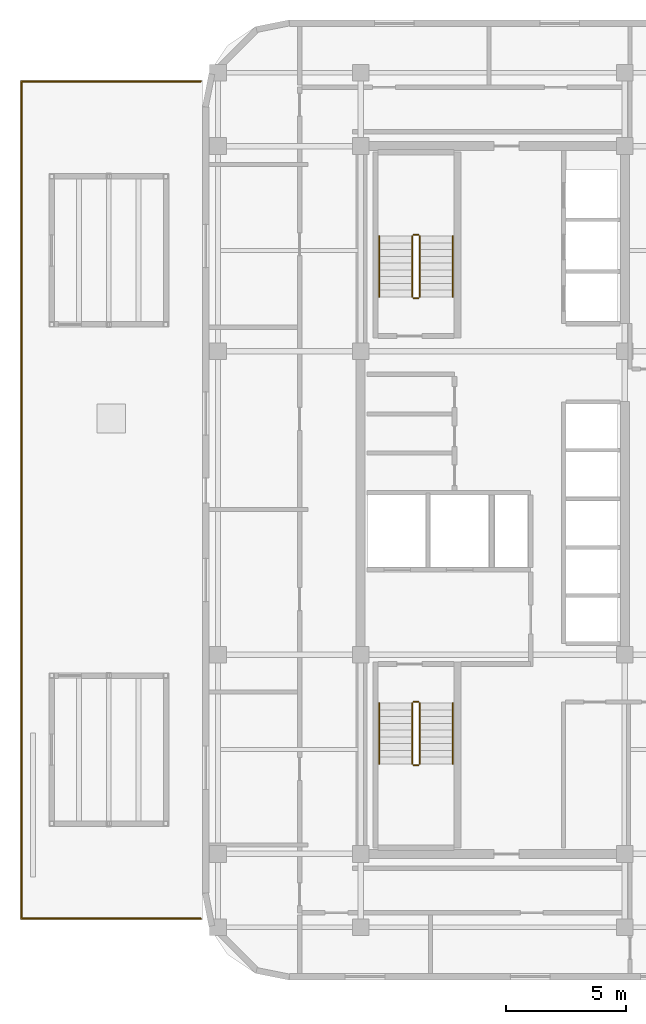
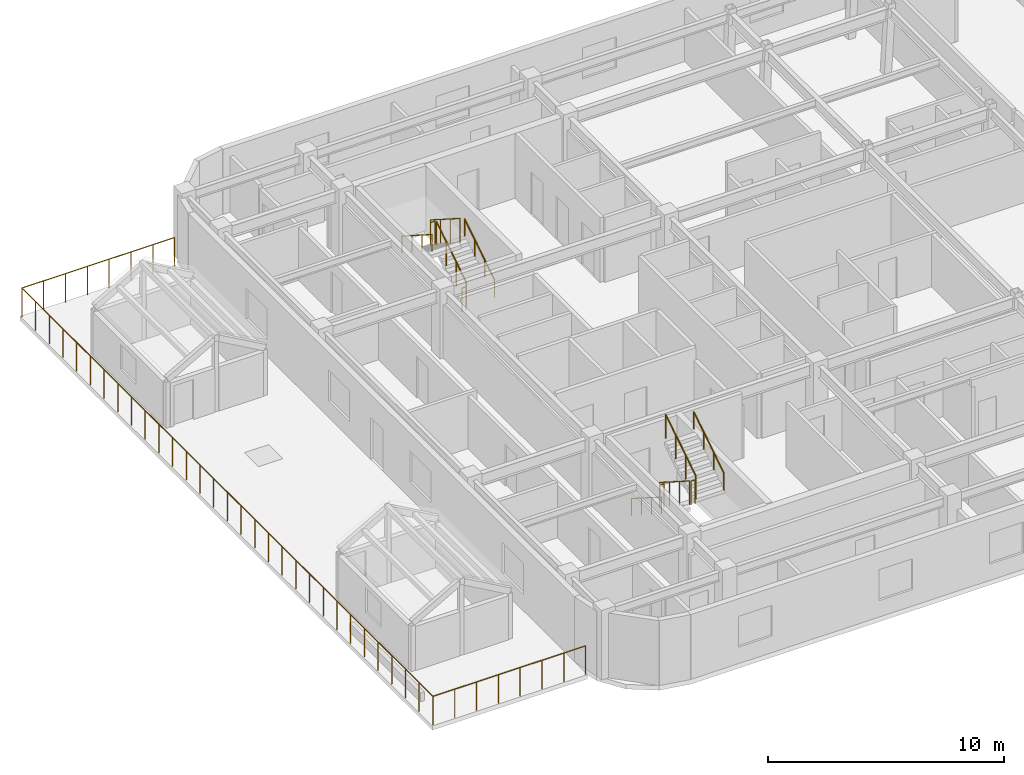
# One storey, part 16 of 16: 13 railings.
"""IFC4 building model written with IfcOpenShell, lengths in metres."""

from ifc_helpers import new_model, si_unit, direction, frame, origin, origin_2d, place, context, subcontext, project, spatial, circle, extrude, material, type_object, element, save


model = new_model("IFC4")

# Units and contexts
model_context = context("Model", 3, precision=1e-05, world=origin(), true_north=direction((0.0, 1.0)))
body_context = subcontext(model_context, "Body", "Model", "MODEL_VIEW")
ifc_project = project(units=[si_unit("LENGTHUNIT", "METRE"), si_unit("AREAUNIT", "SQUARE_METRE"), si_unit("VOLUMEUNIT", "CUBIC_METRE"), si_unit("PLANEANGLEUNIT", "RADIAN"), si_unit("MASSUNIT", "GRAM", prefix="KILO")], contexts=[model_context])

# Site, building, storey
site_placement = place(None, origin())
site = spatial("IfcSite", under=ifc_project, at=site_placement, CompositionType="ELEMENT")
building_placement = place(site_placement, origin())
building = spatial("IfcBuilding", under=site, at=building_placement, Name="Ochreholt Gables", CompositionType="ELEMENT")
storey_placement = place(building_placement, frame((0.0, 0.0, 141.0)))
storey = spatial("IfcBuildingStorey", under=building, at=storey_placement, Name="L36", CompositionType="ELEMENT", Elevation=141.0)

# Railings
ifc_material_1 = material(Name="Painted Steel Stair Guardrail", Category="steel")
railing_type_1 = type_object("IfcRailingType", Name="RL-ST-GUARD", PredefinedType="GUARDRAIL", material=ifc_material_1)
railing_1_placement = place(storey_placement, frame((26.35009765625, 15.5400390625, 0.179931640625)))
element("IfcRailing", 1, at=railing_1_placement, inside=storey, type_object=railing_type_1, Name="L36 ST-1 stair guard 1", PredefinedType="GUARDRAIL", context=body_context, shape_type="SweptSolid", body=[
    extrude(circle(Radius=0.02392578125, at=origin_2d()), frame((0.0, 0.0, 1.22607421875), z_axis=(0.0, -0.842912820907, 0.538050161556), x_axis=(1.0, 0.0, 0.0)), (0.0, 0.0, 1.0), 3.010986328125),
    extrude(circle(Radius=0.02099609375, at=origin_2d()), origin(), (0.0, 0.0, 1.0), 1.201904296875),
    extrude(circle(Radius=0.02099609375, at=origin_2d()), frame((0.0, -0.845947265625, 0.5400390625)), (0.0, 0.0, 1.0), 1.201904296875),
    extrude(circle(Radius=0.02099609375, at=origin_2d()), frame((0.0, -1.692138671875, 1.080078125)), (0.0, 0.0, 1.0), 1.201904296875),
    extrude(circle(Radius=0.02099609375, at=origin_2d()), frame((0.0, -2.5380859375, 1.6201171875)), (0.0, 0.0, 1.0), 1.201904296875),
])
railing_2_placement = place(storey_placement, frame((26.39990234375, 12.951904296875, 1.800048828125)))
element("IfcRailing", 2, at=railing_2_placement, inside=storey, type_object=railing_type_1, Name="L36 ST-1 stair guard 2", PredefinedType="GUARDRAIL", context=body_context, shape_type="SweptSolid", body=[
    extrude(circle(Radius=0.02392578125, at=origin_2d()), frame((0.0, 0.0, 1.22607421875), z_axis=(1.0, 0.0, 0.0), x_axis=(0.0, 1.0, 0.0)), (0.0, 0.0, 1.0), 0.2001953125),
    extrude(circle(Radius=0.02099609375, at=origin_2d()), origin(), (0.0, 0.0, 1.0), 1.201904296875),
    extrude(circle(Radius=0.02099609375, at=origin_2d()), frame((0.2001953125, 0.0, 0.0)), (0.0, 0.0, 1.0), 1.201904296875),
])
railing_3_placement = place(storey_placement, frame((26.64990234375, 13.001953125, 1.97998046875)))
element("IfcRailing", 3, at=railing_3_placement, inside=storey, type_object=railing_type_1, Name="L36 ST-1 stair guard 3", PredefinedType="GUARDRAIL", context=body_context, shape_type="SweptSolid", body=[
    extrude(circle(Radius=0.02392578125, at=origin_2d()), frame((0.0, 0.0, 1.22607421875), z_axis=(0.0, 0.842912820907, 0.538050161556), x_axis=(-1.0, 0.0, 0.0)), (0.0, 0.0, 1.0), 3.010986328125),
    extrude(circle(Radius=0.02099609375, at=origin_2d()), origin(), (0.0, 0.0, 1.0), 1.201904296875),
    extrude(circle(Radius=0.02099609375, at=origin_2d()), frame((0.0, 0.845947265625, 0.5400390625)), (0.0, 0.0, 1.0), 1.201904296875),
    extrude(circle(Radius=0.02099609375, at=origin_2d()), frame((0.0, 1.692138671875, 1.080078125)), (0.0, 0.0, 1.0), 1.201904296875),
    extrude(circle(Radius=0.02099609375, at=origin_2d()), frame((0.0, 2.5380859375, 1.6201171875)), (0.0, 0.0, 1.0), 1.201904296875),
])
railing_4_placement = place(storey_placement, frame((26.39990234375, 15.590087890625, 0.0)))
element("IfcRailing", 4, at=railing_4_placement, inside=storey, type_object=railing_type_1, Name="L36 ST-1 stair guard 4", PredefinedType="GUARDRAIL", context=body_context, shape_type="SweptSolid", body=[
    extrude(circle(Radius=0.02392578125, at=origin_2d()), frame((0.0, 0.0, 1.22607421875), z_axis=(1.0, 0.0, 0.0), x_axis=(0.0, 1.0, 0.0)), (0.0, 0.0, 1.0), 0.2001953125),
    extrude(circle(Radius=0.02099609375, at=origin_2d()), origin(), (0.0, 0.0, 1.0), 1.201904296875),
    extrude(circle(Radius=0.02099609375, at=origin_2d()), frame((0.2001953125, 0.0, 0.0)), (0.0, 0.0, 1.0), 1.201904296875),
])
railing_5_placement = place(storey_placement, frame((26.64990234375, 32.4599609375, 0.179931640625)))
element("IfcRailing", 5, at=railing_5_placement, inside=storey, type_object=railing_type_1, Name="L36 ST-2 stair guard 1", PredefinedType="GUARDRAIL", context=body_context, shape_type="SweptSolid", body=[
    extrude(circle(Radius=0.02392578125, at=origin_2d()), frame((0.0, 0.0, 1.22607421875), z_axis=(0.0, 0.842912820907, 0.538050161556), x_axis=(-1.0, 0.0, 0.0)), (0.0, 0.0, 1.0), 3.010986328125),
    extrude(circle(Radius=0.02099609375, at=origin_2d()), origin(), (0.0, 0.0, 1.0), 1.201904296875),
    extrude(circle(Radius=0.02099609375, at=origin_2d()), frame((0.0, 0.845947265625, 0.5400390625)), (0.0, 0.0, 1.0), 1.201904296875),
    extrude(circle(Radius=0.02099609375, at=origin_2d()), frame((0.0, 1.692138671875, 1.080078125)), (0.0, 0.0, 1.0), 1.201904296875),
    extrude(circle(Radius=0.02099609375, at=origin_2d()), frame((0.0, 2.5380859375, 1.6201171875)), (0.0, 0.0, 1.0), 1.201904296875),
])
railing_6_placement = place(storey_placement, frame((26.60009765625, 35.048095703125, 1.800048828125)))
element("IfcRailing", 6, at=railing_6_placement, inside=storey, type_object=railing_type_1, Name="L36 ST-2 stair guard 2", PredefinedType="GUARDRAIL", context=body_context, shape_type="SweptSolid", body=[
    extrude(circle(Radius=0.02392578125, at=origin_2d()), frame((0.0, 0.0, 1.22607421875), z_axis=(-1.0, 0.0, 0.0), x_axis=(0.0, -1.0, 0.0)), (0.0, 0.0, 1.0), 0.2001953125),
    extrude(circle(Radius=0.02099609375, at=origin_2d()), origin(), (0.0, 0.0, 1.0), 1.201904296875),
    extrude(circle(Radius=0.02099609375, at=origin_2d()), frame((-0.2001953125, 0.0, 0.0)), (0.0, 0.0, 1.0), 1.201904296875),
])
railing_7_placement = place(storey_placement, frame((26.35009765625, 34.998046875, 1.97998046875)))
element("IfcRailing", 7, at=railing_7_placement, inside=storey, type_object=railing_type_1, Name="L36 ST-2 stair guard 3", PredefinedType="GUARDRAIL", context=body_context, shape_type="SweptSolid", body=[
    extrude(circle(Radius=0.02392578125, at=origin_2d()), frame((0.0, 0.0, 1.22607421875), z_axis=(0.0, -0.842912820907, 0.538050161556), x_axis=(1.0, 0.0, 0.0)), (0.0, 0.0, 1.0), 3.010986328125),
    extrude(circle(Radius=0.02099609375, at=origin_2d()), origin(), (0.0, 0.0, 1.0), 1.201904296875),
    extrude(circle(Radius=0.02099609375, at=origin_2d()), frame((0.0, -0.845947265625, 0.5400390625)), (0.0, 0.0, 1.0), 1.201904296875),
    extrude(circle(Radius=0.02099609375, at=origin_2d()), frame((0.0, -1.692138671875, 1.080078125)), (0.0, 0.0, 1.0), 1.201904296875),
    extrude(circle(Radius=0.02099609375, at=origin_2d()), frame((0.0, -2.5380859375, 1.6201171875)), (0.0, 0.0, 1.0), 1.201904296875),
])
railing_8_placement = place(storey_placement, frame((26.60009765625, 32.409912109375, 0.0)))
element("IfcRailing", 8, at=railing_8_placement, inside=storey, type_object=railing_type_1, Name="L36 ST-2 stair guard 4", PredefinedType="GUARDRAIL", context=body_context, shape_type="SweptSolid", body=[
    extrude(circle(Radius=0.02392578125, at=origin_2d()), frame((0.0, 0.0, 1.22607421875), z_axis=(-1.0, 0.0, 0.0), x_axis=(0.0, -1.0, 0.0)), (0.0, 0.0, 1.0), 0.2001953125),
    extrude(circle(Radius=0.02099609375, at=origin_2d()), origin(), (0.0, 0.0, 1.0), 1.201904296875),
    extrude(circle(Radius=0.02099609375, at=origin_2d()), frame((-0.2001953125, 0.0, 0.0)), (0.0, 0.0, 1.0), 1.201904296875),
])
ifc_material_2 = material(Name="Brushed Stainless Steel Wall Handrail", Category="steel")
railing_type_2 = type_object("IfcRailingType", Name="RL-ST-HAND", PredefinedType="HANDRAIL", material=ifc_material_2)
railing_9_placement = place(storey_placement, frame((24.969970703125, 15.5400390625, 0.179931640625)))
element("IfcRailing", 9, at=railing_9_placement, inside=storey, type_object=railing_type_2, Name="L36 ST-1 stair handrail 1", PredefinedType="HANDRAIL", context=body_context, shape_type="SweptSolid", body=[
    extrude(circle(Radius=0.02392578125, at=origin_2d()), frame((0.0, 0.0, 0.8759765625), z_axis=(0.0, -0.842912820907, 0.538050161556), x_axis=(1.0, 0.0, 0.0)), (0.0, 0.0, 1.0), 3.010986328125),
    extrude(circle(Radius=0.02099609375, at=origin_2d()), origin(), (0.0, 0.0, 1.0), 0.851806640625),
    extrude(circle(Radius=0.02099609375, at=origin_2d()), frame((0.0, -0.845947265625, 0.5400390625)), (0.0, 0.0, 1.0), 0.851806640625),
    extrude(circle(Radius=0.02099609375, at=origin_2d()), frame((0.0, -1.692138671875, 1.080078125)), (0.0, 0.0, 1.0), 0.851806640625),
    extrude(circle(Radius=0.02099609375, at=origin_2d()), frame((0.0, -2.5380859375, 1.6201171875)), (0.0, 0.0, 1.0), 0.851806640625),
])
for number, where, name in (
    (10, (28.030029296875, 13.001953125, 1.97998046875), "L36 ST-1 stair handrail 2"),
    (11, (28.030029296875, 32.4599609375, 0.179931640625), "L36 ST-2 stair handrail 1"),
):
    element("IfcRailing", number, at=place(storey_placement, frame(where)), inside=storey, type_object=railing_type_2, Name=name, PredefinedType="HANDRAIL", context=body_context, shape_type="SweptSolid", body=[
        extrude(circle(Radius=0.02392578125, at=origin_2d()), frame((0.0, 0.0, 0.8759765625), z_axis=(0.0, 0.842912820907, 0.538050161556), x_axis=(-1.0, 0.0, 0.0)), (0.0, 0.0, 1.0), 3.010986328125),
        extrude(circle(Radius=0.02099609375, at=origin_2d()), origin(), (0.0, 0.0, 1.0), 0.851806640625),
        extrude(circle(Radius=0.02099609375, at=origin_2d()), frame((0.0, 0.845947265625, 0.5400390625)), (0.0, 0.0, 1.0), 0.851806640625),
        extrude(circle(Radius=0.02099609375, at=origin_2d()), frame((0.0, 1.692138671875, 1.080078125)), (0.0, 0.0, 1.0), 0.851806640625),
        extrude(circle(Radius=0.02099609375, at=origin_2d()), frame((0.0, 2.5380859375, 1.6201171875)), (0.0, 0.0, 1.0), 0.851806640625),
    ])
railing_10_placement = place(storey_placement, frame((24.969970703125, 34.998046875, 1.97998046875)))
element("IfcRailing", 12, at=railing_10_placement, inside=storey, type_object=railing_type_2, Name="L36 ST-2 stair handrail 2", PredefinedType="HANDRAIL", context=body_context, shape_type="SweptSolid", body=[
    extrude(circle(Radius=0.02392578125, at=origin_2d()), frame((0.0, 0.0, 0.8759765625), z_axis=(0.0, -0.842912820907, 0.538050161556), x_axis=(1.0, 0.0, 0.0)), (0.0, 0.0, 1.0), 3.010986328125),
    extrude(circle(Radius=0.02099609375, at=origin_2d()), origin(), (0.0, 0.0, 1.0), 0.851806640625),
    extrude(circle(Radius=0.02099609375, at=origin_2d()), frame((0.0, -0.845947265625, 0.5400390625)), (0.0, 0.0, 1.0), 0.851806640625),
    extrude(circle(Radius=0.02099609375, at=origin_2d()), frame((0.0, -1.692138671875, 1.080078125)), (0.0, 0.0, 1.0), 0.851806640625),
    extrude(circle(Radius=0.02099609375, at=origin_2d()), frame((0.0, -2.5380859375, 1.6201171875)), (0.0, 0.0, 1.0), 0.851806640625),
])
ifc_material_3 = material(Name="High-Wind Laminated Glass and Steel Guardrail", Category="steel")
railing_type_3 = type_object("IfcRailingType", Name="RL-TER-1500", PredefinedType="GUARDRAIL", material=ifc_material_3)
railing_11_placement = place(storey_placement, frame((17.539794921875, 41.43994140625, 0.0)))
element("IfcRailing", 13, at=railing_11_placement, inside=storey, type_object=railing_type_3, Name="L36 Terrace Perimeter Guardrail TR-L36-W", PredefinedType="GUARDRAIL", context=body_context, shape_type="SweptSolid", body=[
    extrude(circle(Radius=0.02392578125, at=origin_2d()), frame((0.0, 0.0, 1.47607421875), z_axis=(-1.0, 0.0, 0.0), x_axis=(0.0, -1.0, 0.0)), (0.0, 0.0, 1.0), 7.479736328125),
    extrude(circle(Radius=0.02392578125, at=origin_2d()), frame((-7.479736328125, 0.0, 1.47607421875), z_axis=(0.0, -1.0, 0.0), x_axis=(1.0, 0.0, 0.0)), (0.0, 0.0, 1.0), 34.8798828125),
    extrude(circle(Radius=0.02392578125, at=origin_2d()), frame((-7.479736328125, -34.8798828125, 1.47607421875), z_axis=(1.0, 0.0, 0.0), x_axis=(0.0, 1.0, 0.0)), (0.0, 0.0, 1.0), 7.479736328125),
    extrude(circle(Radius=0.02099609375, at=origin_2d()), origin(), (0.0, 0.0, 1.0), 1.451904296875),
    extrude(circle(Radius=0.02099609375, at=origin_2d()), frame((-1.068603515625, 0.0, 0.0)), (0.0, 0.0, 1.0), 1.451904296875),
    extrude(circle(Radius=0.02099609375, at=origin_2d()), frame((-2.136962890625, 0.0, 0.0)), (0.0, 0.0, 1.0), 1.451904296875),
    extrude(circle(Radius=0.02099609375, at=origin_2d()), frame((-3.20556640625, 0.0, 0.0)), (0.0, 0.0, 1.0), 1.451904296875),
    extrude(circle(Radius=0.02099609375, at=origin_2d()), frame((-4.274169921875, 0.0, 0.0)), (0.0, 0.0, 1.0), 1.451904296875),
    extrude(circle(Radius=0.02099609375, at=origin_2d()), frame((-5.3427734375, 0.0, 0.0)), (0.0, 0.0, 1.0), 1.451904296875),
    extrude(circle(Radius=0.02099609375, at=origin_2d()), frame((-6.4111328125, 0.0, 0.0)), (0.0, 0.0, 1.0), 1.451904296875),
    extrude(circle(Radius=0.02099609375, at=origin_2d()), frame((-7.479736328125, 0.0, 0.0)), (0.0, 0.0, 1.0), 1.451904296875),
    extrude(circle(Radius=0.02099609375, at=origin_2d()), frame((-7.479736328125, -1.16259765625, 0.0)), (0.0, 0.0, 1.0), 1.451904296875),
    extrude(circle(Radius=0.02099609375, at=origin_2d()), frame((-7.479736328125, -2.325439453125, 0.0)), (0.0, 0.0, 1.0), 1.451904296875),
    extrude(circle(Radius=0.02099609375, at=origin_2d()), frame((-7.479736328125, -3.488037109375, 0.0)), (0.0, 0.0, 1.0), 1.451904296875),
    extrude(circle(Radius=0.02099609375, at=origin_2d()), frame((-7.479736328125, -4.650634765625, 0.0)), (0.0, 0.0, 1.0), 1.451904296875),
    extrude(circle(Radius=0.02099609375, at=origin_2d()), frame((-7.479736328125, -5.813232421875, 0.0)), (0.0, 0.0, 1.0), 1.451904296875),
    extrude(circle(Radius=0.02099609375, at=origin_2d()), frame((-7.479736328125, -6.97607421875, 0.0)), (0.0, 0.0, 1.0), 1.451904296875),
    extrude(circle(Radius=0.02099609375, at=origin_2d()), frame((-7.479736328125, -8.138671875, 0.0)), (0.0, 0.0, 1.0), 1.451904296875),
    extrude(circle(Radius=0.02099609375, at=origin_2d()), frame((-7.479736328125, -9.30126953125, 0.0)), (0.0, 0.0, 1.0), 1.451904296875),
    extrude(circle(Radius=0.02099609375, at=origin_2d()), frame((-7.479736328125, -10.4638671875, 0.0)), (0.0, 0.0, 1.0), 1.451904296875),
    extrude(circle(Radius=0.02099609375, at=origin_2d()), frame((-7.479736328125, -11.626708984375, 0.0)), (0.0, 0.0, 1.0), 1.451904296875),
    extrude(circle(Radius=0.02099609375, at=origin_2d()), frame((-7.479736328125, -12.789306640625, 0.0)), (0.0, 0.0, 1.0), 1.451904296875),
    extrude(circle(Radius=0.02099609375, at=origin_2d()), frame((-7.479736328125, -13.951904296875, 0.0)), (0.0, 0.0, 1.0), 1.451904296875),
    extrude(circle(Radius=0.02099609375, at=origin_2d()), frame((-7.479736328125, -15.114501953125, 0.0)), (0.0, 0.0, 1.0), 1.451904296875),
    extrude(circle(Radius=0.02099609375, at=origin_2d()), frame((-7.479736328125, -16.27734375, 0.0)), (0.0, 0.0, 1.0), 1.451904296875),
    extrude(circle(Radius=0.02099609375, at=origin_2d()), frame((-7.479736328125, -17.43994140625, 0.0)), (0.0, 0.0, 1.0), 1.451904296875),
    extrude(circle(Radius=0.02099609375, at=origin_2d()), frame((-7.479736328125, -18.6025390625, 0.0)), (0.0, 0.0, 1.0), 1.451904296875),
    extrude(circle(Radius=0.02099609375, at=origin_2d()), frame((-7.479736328125, -19.765380859375, 0.0)), (0.0, 0.0, 1.0), 1.451904296875),
    extrude(circle(Radius=0.02099609375, at=origin_2d()), frame((-7.479736328125, -20.927978515625, 0.0)), (0.0, 0.0, 1.0), 1.451904296875),
    extrude(circle(Radius=0.02099609375, at=origin_2d()), frame((-7.479736328125, -22.090576171875, 0.0)), (0.0, 0.0, 1.0), 1.451904296875),
    extrude(circle(Radius=0.02099609375, at=origin_2d()), frame((-7.479736328125, -23.253173828125, 0.0)), (0.0, 0.0, 1.0), 1.451904296875),
    extrude(circle(Radius=0.02099609375, at=origin_2d()), frame((-7.479736328125, -24.416015625, 0.0)), (0.0, 0.0, 1.0), 1.451904296875),
    extrude(circle(Radius=0.02099609375, at=origin_2d()), frame((-7.479736328125, -25.57861328125, 0.0)), (0.0, 0.0, 1.0), 1.451904296875),
    extrude(circle(Radius=0.02099609375, at=origin_2d()), frame((-7.479736328125, -26.7412109375, 0.0)), (0.0, 0.0, 1.0), 1.451904296875),
    extrude(circle(Radius=0.02099609375, at=origin_2d()), frame((-7.479736328125, -27.90380859375, 0.0)), (0.0, 0.0, 1.0), 1.451904296875),
    extrude(circle(Radius=0.02099609375, at=origin_2d()), frame((-7.479736328125, -29.066650390625, 0.0)), (0.0, 0.0, 1.0), 1.451904296875),
    extrude(circle(Radius=0.02099609375, at=origin_2d()), frame((-7.479736328125, -30.229248046875, 0.0)), (0.0, 0.0, 1.0), 1.451904296875),
    extrude(circle(Radius=0.02099609375, at=origin_2d()), frame((-7.479736328125, -31.391845703125, 0.0)), (0.0, 0.0, 1.0), 1.451904296875),
    extrude(circle(Radius=0.02099609375, at=origin_2d()), frame((-7.479736328125, -32.554443359375, 0.0)), (0.0, 0.0, 1.0), 1.451904296875),
    extrude(circle(Radius=0.02099609375, at=origin_2d()), frame((-7.479736328125, -33.71728515625, 0.0)), (0.0, 0.0, 1.0), 1.451904296875),
    extrude(circle(Radius=0.02099609375, at=origin_2d()), frame((-7.479736328125, -34.8798828125, 0.0)), (0.0, 0.0, 1.0), 1.451904296875),
    extrude(circle(Radius=0.02099609375, at=origin_2d()), frame((-6.4111328125, -34.8798828125, 0.0)), (0.0, 0.0, 1.0), 1.451904296875),
    extrude(circle(Radius=0.02099609375, at=origin_2d()), frame((-5.3427734375, -34.8798828125, 0.0)), (0.0, 0.0, 1.0), 1.451904296875),
    extrude(circle(Radius=0.02099609375, at=origin_2d()), frame((-4.274169921875, -34.8798828125, 0.0)), (0.0, 0.0, 1.0), 1.451904296875),
    extrude(circle(Radius=0.02099609375, at=origin_2d()), frame((-3.20556640625, -34.8798828125, 0.0)), (0.0, 0.0, 1.0), 1.451904296875),
    extrude(circle(Radius=0.02099609375, at=origin_2d()), frame((-2.136962890625, -34.8798828125, 0.0)), (0.0, 0.0, 1.0), 1.451904296875),
    extrude(circle(Radius=0.02099609375, at=origin_2d()), frame((-1.068603515625, -34.8798828125, 0.0)), (0.0, 0.0, 1.0), 1.451904296875),
    extrude(circle(Radius=0.02099609375, at=origin_2d()), frame((0.0, -34.8798828125, 0.0)), (0.0, 0.0, 1.0), 1.451904296875),
])

save(model, "model.ifc")
